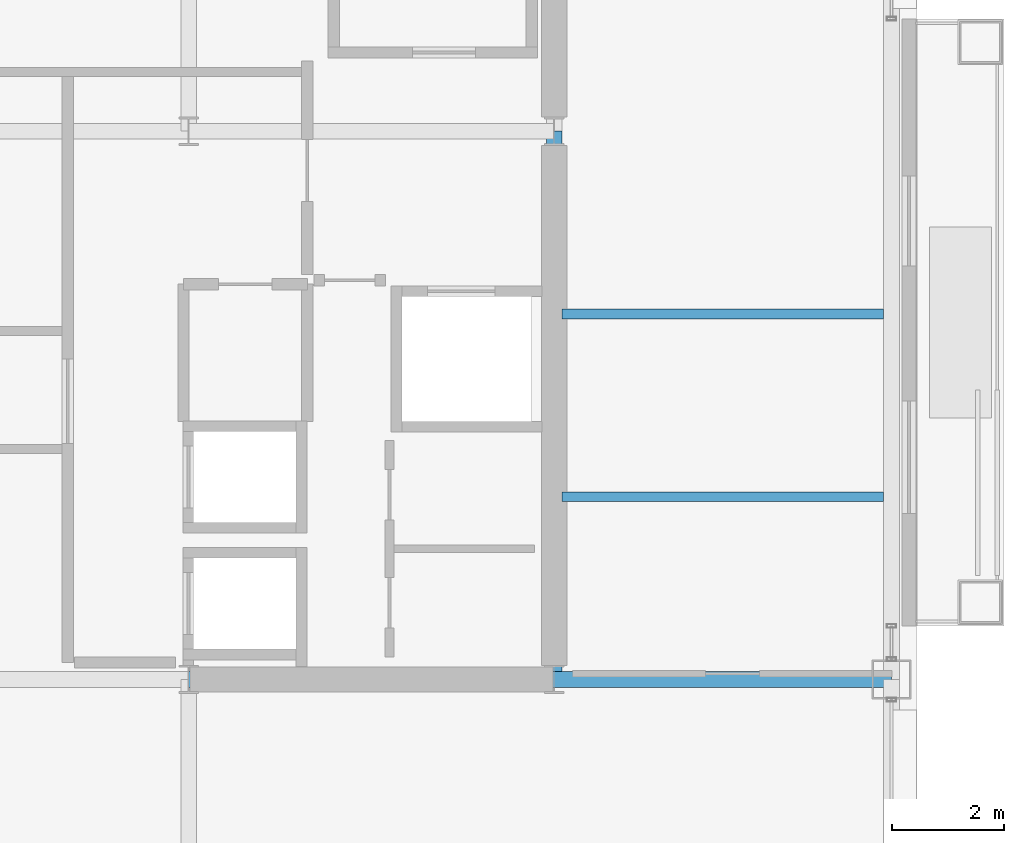
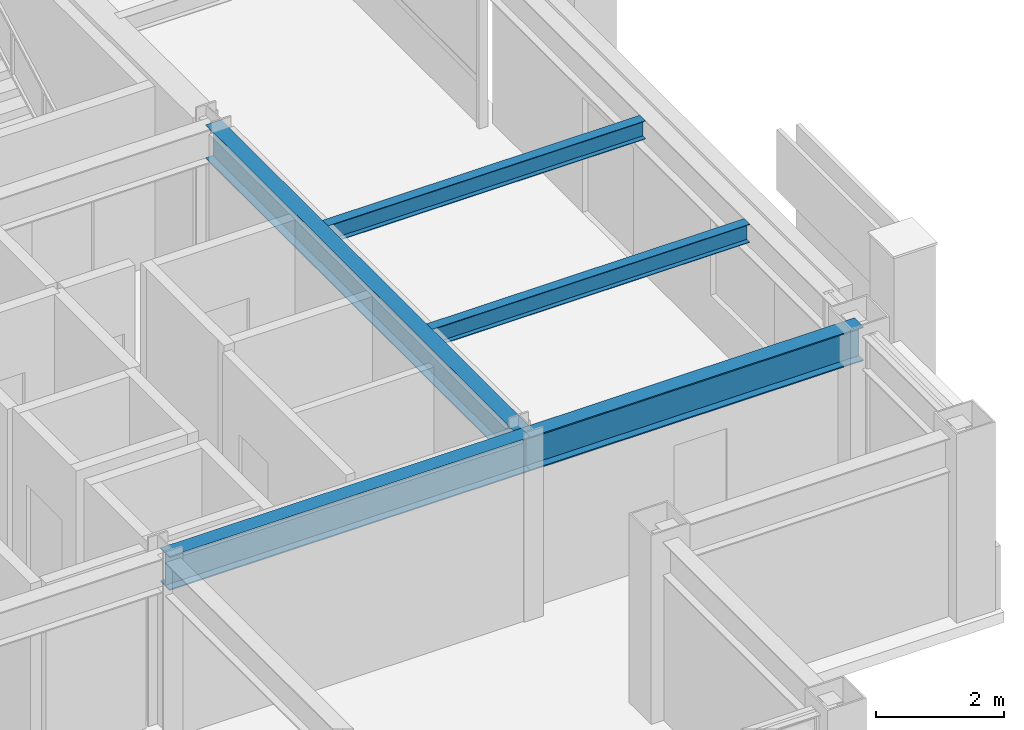
# One storey, part 13 of 30: 5 beams.
"""IFC4 building model written with IfcOpenShell, lengths in metres."""

import ifcopenshell
import ifcopenshell.guid

model = None  # the IFC model being written
_history = None  # IfcOwnerHistory: only IFC2X3 demands one
_inside = {}  # id of a spatial element -> (the spatial element, [elements in it])
_under = {}  # id of a project, library or spatial element -> (it, [spatial elements below it])
_declared = {}  # id of a project -> (the project, [libraries it declares])
_typed = {}  # id of a type object -> (the type object, [elements of that type])
_made_of = {}  # id of a material, layer set ... -> (it, [elements and type objects made of it])


def new_model(schema):
    """Start an empty IFC model of exactly this schema.

    Asked for "IFC4X3", IfcOpenShell would pick the latest addendum, in which some entities
    have other attributes; the version numbers below select the first issue.
    IFC2X3 requires an IfcOwnerHistory on every rooted entity: one is made here for all.
    """
    global model, _history
    if schema == "IFC4X3":
        model = ifcopenshell.file(schema_version=(4, 3, 0, 0))
    else:
        model = ifcopenshell.file(schema=schema)
    _inside.clear()
    _under.clear()
    _declared.clear()
    _typed.clear()
    _made_of.clear()
    _history = None
    if model.schema == "IFC2X3":
        org = make("IfcOrganization", Name="unknown")
        user = make(
            "IfcPersonAndOrganization",
            ThePerson=make("IfcPerson", FamilyName="unknown"),
            TheOrganization=org,
        )
        app = make(
            "IfcApplication",
            ApplicationDeveloper=org,
            Version="unknown",
            ApplicationFullName="unknown",
            ApplicationIdentifier="unknown",
        )
        _history = make(
            "IfcOwnerHistory",
            OwningUser=user,
            OwningApplication=app,
            ChangeAction="ADDED",
            CreationDate=0,
        )
    return model


def make(cls, **values):
    """One entity of the class cls with the attributes given. An attribute that is None is left unset."""
    return model.create_entity(
        cls, **{name: value for name, value in values.items() if value is not None}
    )


def rooted(cls, **values):
    """An entity with a GlobalId (a new one), such as an element, a storey or a relation."""
    return make(cls, GlobalId=ifcopenshell.guid.new(), OwnerHistory=_history, **values)


def si_unit(unit_type, name, prefix=None):
    """IfcSIUnit, for example si_unit("LENGTHUNIT", "METRE", prefix="MILLI")."""
    return make("IfcSIUnit", UnitType=unit_type, Prefix=prefix, Name=name)


def assignment(units):
    """IfcUnitAssignment: the units of a project."""
    return None if units is None else make("IfcUnitAssignment", Units=units)


def point(xyz):
    """IfcCartesianPoint."""
    return None if xyz is None else make("IfcCartesianPoint", Coordinates=xyz)


def direction(xyz):
    """IfcDirection."""
    return None if xyz is None else make("IfcDirection", DirectionRatios=xyz)


def frame(location, z_axis=None, x_axis=None):
    """IfcAxis2Placement3D, a coordinate frame: its origin and axes. An axis left out is left unset."""
    return make(
        "IfcAxis2Placement3D",
        Location=point(location),
        Axis=direction(z_axis),
        RefDirection=direction(x_axis),
    )


def frame_2d(location, x_axis=None):
    """IfcAxis2Placement2D, a coordinate frame in the plane: its origin and x axis."""
    return make(
        "IfcAxis2Placement2D", Location=point(location), RefDirection=direction(x_axis)
    )


def origin():
    """The frame at (0, 0, 0) with its axes left unset."""
    return frame((0.0, 0.0, 0.0))


def origin_2d():
    """The frame at (0, 0) in the plane with its x axis left unset."""
    return frame_2d((0.0, 0.0))


def place(relative_to, where):
    """IfcLocalPlacement: puts the frame where relative to a parent placement (None: the world)."""
    return make(
        "IfcLocalPlacement", PlacementRelTo=relative_to, RelativePlacement=where
    )


def context(
    kind, dimensions, precision=None, world=None, true_north=None, identifier=None
):
    """IfcGeometricRepresentationContext, for example the 3D "Model" context."""
    return make(
        "IfcGeometricRepresentationContext",
        ContextIdentifier=identifier,
        ContextType=kind,
        CoordinateSpaceDimension=dimensions,
        Precision=precision,
        WorldCoordinateSystem=world,
        TrueNorth=true_north,
    )


def subcontext(parent, identifier, kind, view, scale=None):
    """IfcGeometricRepresentationSubContext, for example "Body" below "Model"."""
    return make(
        "IfcGeometricRepresentationSubContext",
        ContextIdentifier=identifier,
        ContextType=kind,
        ParentContext=parent,
        TargetScale=scale,
        TargetView=view,
    )


def project(units=None, contexts=None):
    """IfcProject with its units and contexts."""
    return rooted(
        "IfcProject",
        Name="project",
        RepresentationContexts=contexts,
        UnitsInContext=assignment(units),
    )


def spatial(cls, under=None, at=None, **own):
    """A site, building, storey or space (cls), placed at a placement, below another one or the project."""
    s = rooted(cls, ObjectPlacement=at, **own)
    if under is not None:
        _under.setdefault(under.id(), (under, []))[1].append(s)
    return s


def profile(cls, at=None, kind="AREA", **sizes):
    """A parametric profile (cls). Its sizes go by their IFC names, for example OverallWidth=200.0."""
    return make(cls, ProfileType=kind, Position=at, **sizes)


def i_section(**sizes):
    """IfcIShapeProfileDef."""
    return profile("IfcIShapeProfileDef", **sizes)


def extrude(swept, where, along, depth):
    """IfcExtrudedAreaSolid: the profile swept, set in the frame where, extruded along a direction by depth."""
    return make(
        "IfcExtrudedAreaSolid",
        SweptArea=swept,
        Position=where,
        ExtrudedDirection=direction(along),
        Depth=depth,
    )


def shape(context_of_items, identifier, shape_type, items):
    """IfcShapeRepresentation: the items that make up one representation, for example the "Body"."""
    return make(
        "IfcShapeRepresentation",
        ContextOfItems=context_of_items,
        RepresentationIdentifier=identifier,
        RepresentationType=shape_type,
        Items=items,
    )


def material(Name=None, Category=None):
    """IfcMaterial."""
    return make("IfcMaterial", Name=Name, Category=Category)


def material_profile(
    of_material, cross_section, Name=None, Category=None, Priority=None
):
    """IfcMaterialProfile: a cross section and its material."""
    return make(
        "IfcMaterialProfile",
        Name=Name,
        Material=of_material,
        Profile=cross_section,
        Priority=Priority,
        Category=Category,
    )


def profile_set(profiles, Name=None, composite=None):
    """IfcMaterialProfileSet."""
    return make(
        "IfcMaterialProfileSet",
        Name=Name,
        MaterialProfiles=profiles,
        CompositeProfile=composite,
    )


def made_of(thing, what):
    """Note that an element or type object is made of a material, layer set ...; save() writes the relation."""
    if what is not None:
        _made_of.setdefault(what.id(), (what, []))[1].append(thing)
    return thing


def type_object(cls, material=None, **own):
    """A type object (cls), such as IfcWallType, which elements share."""
    return made_of(rooted(cls, **own), material)


def element(
    cls,
    number,
    at=None,
    inside=None,
    cuts=None,
    type_object=None,
    material=None,
    context=None,
    identifier="Body",
    shape_type=None,
    held_by="IfcProductDefinitionShape",
    body=None,
    shapes=None,
    **own,
):
    """One element of the class cls, such as IfcWall. Its Tag is "e" and its number.

    at: its placement. inside: the storey or other place that contains it. cuts: it is an
    opening in that element (IfcRelVoidsElement). A single representation is given by context,
    identifier, shape_type and body (its items); several are given by shapes. held_by: the class
    of the entity that holds the representations. save() writes the other relations.
    """
    e = rooted(cls, Tag="e%d" % number, ObjectPlacement=at, **own)
    if body is not None:
        shapes = [shape(context, identifier, shape_type, body)]
    if shapes is not None:
        e.Representation = make(held_by, Representations=shapes)
    if inside is not None:
        _inside.setdefault(inside.id(), (inside, []))[1].append(e)
    if cuts is not None:
        rooted(
            "IfcRelVoidsElement", RelatingBuildingElement=cuts, RelatedOpeningElement=e
        )
    if type_object is not None:
        _typed.setdefault(type_object.id(), (type_object, []))[1].append(e)
    return made_of(e, material)


def aggregate(whole, parts):
    """IfcRelAggregates: a whole, such as a stair, and the parts it consists of."""
    return rooted("IfcRelAggregates", RelatingObject=whole, RelatedObjects=parts)


def save(model, path):
    """Write the relations noted so far, then the file.

    IfcRelAggregates (storeys below a building ...), IfcRelContainedInSpatialStructure (elements
    in a storey), IfcRelDefinesByType, IfcRelAssociatesMaterial and IfcRelDeclares: one each for
    every whole, place, type object, material and project.
    """
    for whole, parts in _under.values():
        aggregate(whole, parts)
    for where, things in _inside.values():
        rooted(
            "IfcRelContainedInSpatialStructure",
            RelatedElements=things,
            RelatingStructure=where,
        )
    for kind, things in _typed.values():
        rooted("IfcRelDefinesByType", RelatedObjects=things, RelatingType=kind)
    for what, things in _made_of.values():
        rooted("IfcRelAssociatesMaterial", RelatedObjects=things, RelatingMaterial=what)
    for by, libraries in _declared.values():
        rooted("IfcRelDeclares", RelatingContext=by, RelatedDefinitions=libraries)
    model.write(path)


model = new_model("IFC4")

# Units and contexts
model_context = context("Model", 3, precision=1e-05, world=origin(), true_north=direction((0.0, 1.0)))
body_context = subcontext(model_context, "Body", "Model", "MODEL_VIEW")
ifc_project = project(units=[si_unit("LENGTHUNIT", "METRE"), si_unit("AREAUNIT", "SQUARE_METRE"), si_unit("VOLUMEUNIT", "CUBIC_METRE"), si_unit("PLANEANGLEUNIT", "RADIAN"), si_unit("MASSUNIT", "GRAM", prefix="KILO")], contexts=[model_context])

# Site, building, storey
site_placement = place(None, origin())
site = spatial("IfcSite", under=ifc_project, at=site_placement, CompositionType="ELEMENT")
building_placement = place(site_placement, origin())
building = spatial("IfcBuilding", under=site, at=building_placement, Name="Brelmoor Portico Tower", CompositionType="ELEMENT")
storey_placement = place(building_placement, frame((0.0, 0.0, 187.5)))
storey = spatial("IfcBuildingStorey", under=building, at=storey_placement, Name="L49", CompositionType="ELEMENT", Elevation=187.5)

# Beams
ifc_material = material(Name="Steel Q355B", Category="steel")
ifc_material_profile_1 = material_profile(ifc_material, i_section(OverallWidth=0.175048828125, OverallDepth=0.35009765625, WebThickness=0.007080078125, FlangeThickness=0.010986328125, at=origin_2d()), Name="HN 350x175x7x11")
ifc_profile_set_1 = profile_set([ifc_material_profile_1], Name="Steel Q355B")
beam_type_1 = type_object("IfcBeamType", Name="BM-JS-350", PredefinedType="JOIST", material=ifc_profile_set_1)
for number, where, z_axis, x_axis, name in (
    (1, (14.68994140625, -6.5, 3.22509765625), (1.0, 0.0, 0.0), (0.0, 1.0, 0.0), "L49 Secondary Wing Joist JS-E09"),
    (2, (14.68994140625, -3.25, 3.22509765625), (1.0, 0.0, 0.0), (0.0, 1.0, 0.0), "L49 Secondary Wing Joist JS-E10"),
):
    element("IfcBeam", number, at=place(storey_placement, frame(where, z_axis=z_axis, x_axis=x_axis)), inside=storey, type_object=beam_type_1, Name=name, PredefinedType="JOIST", context=body_context, shape_type="SweptSolid", body=[
        extrude(i_section(OverallWidth=0.175048828125, OverallDepth=0.35009765625, WebThickness=0.007080078125, FlangeThickness=0.010986328125, at=origin_2d()), origin(), (0.0, 0.0, 1.0), 5.719970703125),
    ])
ifc_material_profile_2 = material_profile(ifc_material, i_section(OverallWidth=0.280029296875, OverallDepth=0.64990234375, WebThickness=0.012939453125, FlangeThickness=0.02197265625, at=origin_2d()), Name="HN 650x280x13x22")
ifc_profile_set_2 = profile_set([ifc_material_profile_2], Name="Steel Q355B")
beam_type_2 = type_object("IfcBeamType", Name="BM-PG-650", PredefinedType="BEAM", material=ifc_profile_set_2)
beam_1_placement = place(storey_placement, frame((14.550048828125, -9.75, 3.074951171875), z_axis=(0.0, 1.0, 0.0), x_axis=(-1.0, 0.0, 0.0)))
element("IfcBeam", 3, at=beam_1_placement, inside=storey, type_object=beam_type_2, Name="L49 Primary Floor Girder PG-09", PredefinedType="BEAM", context=body_context, shape_type="SweptSolid", body=[
    extrude(i_section(OverallWidth=0.280029296875, OverallDepth=0.64990234375, WebThickness=0.012939453125, FlangeThickness=0.02197265625, at=origin_2d()), origin(), (0.0, 0.0, 1.0), 9.75),
])
beam_2_placement = place(storey_placement, frame((8.050048828125, -9.75, 3.074951171875), z_axis=(1.0, 0.0, 0.0), x_axis=(0.0, 1.0, 0.0)))
element("IfcBeam", 4, at=beam_2_placement, inside=storey, type_object=beam_type_2, Name="L49 Primary Floor Girder PG-14", PredefinedType="BEAM", context=body_context, shape_type="SweptSolid", body=[
    extrude(i_section(OverallWidth=0.280029296875, OverallDepth=0.64990234375, WebThickness=0.012939453125, FlangeThickness=0.02197265625, at=origin_2d()), origin(), (0.0, 0.0, 1.0), 6.5),
])
beam_3_placement = place(storey_placement, frame((14.550048828125, -9.75, 3.074951171875), z_axis=(1.0, 0.0, 0.0), x_axis=(0.0, 1.0, 0.0)))
element("IfcBeam", 5, at=beam_3_placement, inside=storey, type_object=beam_type_2, Name="L49 Primary Floor Girder PG-15", PredefinedType="BEAM", context=body_context, shape_type="SweptSolid", body=[
    extrude(i_section(OverallWidth=0.280029296875, OverallDepth=0.64990234375, WebThickness=0.012939453125, FlangeThickness=0.02197265625, at=origin_2d()), origin(), (0.0, 0.0, 1.0), 6.0),
])

save(model, "model.ifc")
